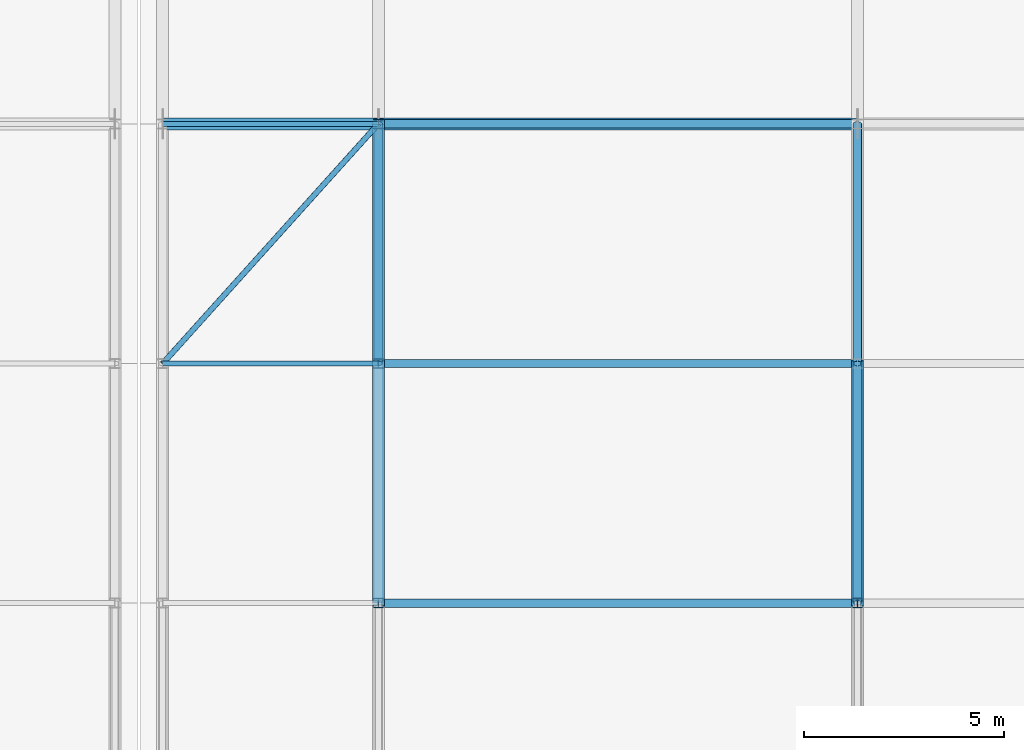
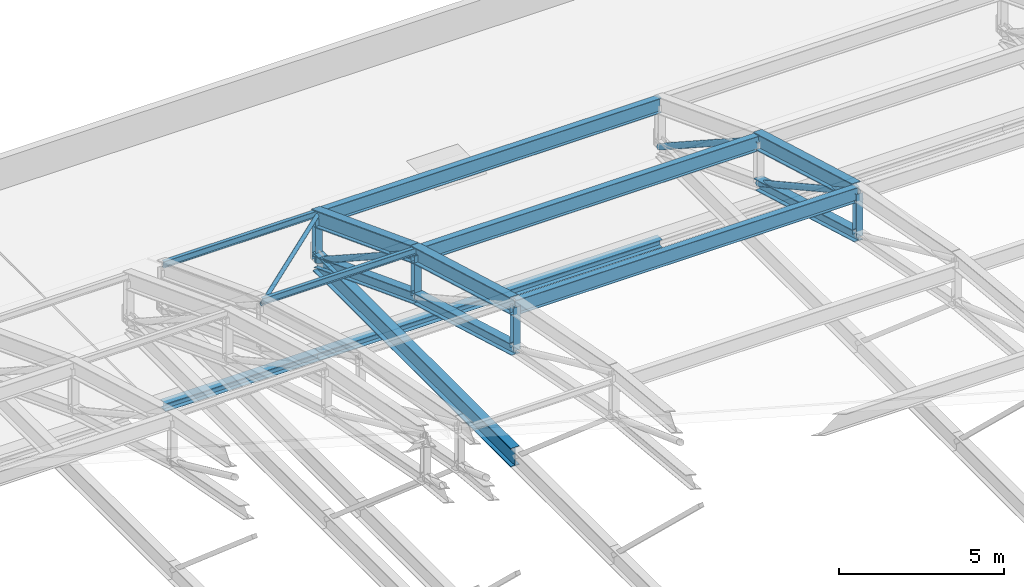
# One storey, part 149 of 204: 20 members, 2 beams.
"""IFC4 building model written with IfcOpenShell, lengths in metres."""

from ifc_helpers import new_model, si_unit, direction, frame, origin, origin_2d, place, context, subcontext, project, spatial, hollow_circle, i_section, extrude, material, material_profile, profile_set, type_object, element, save


model = new_model("IFC4")

# Units and contexts
model_context = context("Model", 3, precision=1e-05, world=origin(), true_north=direction((0.0, 1.0)))
body_context = subcontext(model_context, "Body", "Model", "MODEL_VIEW")
ifc_project = project(units=[si_unit("LENGTHUNIT", "METRE"), si_unit("AREAUNIT", "SQUARE_METRE"), si_unit("VOLUMEUNIT", "CUBIC_METRE"), si_unit("PLANEANGLEUNIT", "RADIAN"), si_unit("MASSUNIT", "GRAM", prefix="KILO")], contexts=[model_context])

# Site, building, storey
site_placement = place(None, origin())
site = spatial("IfcSite", under=ifc_project, at=site_placement, CompositionType="ELEMENT")
building_placement = place(site_placement, origin())
building = spatial("IfcBuilding", under=site, at=building_placement, Name="Zilviju Railside Exhibition Hall", CompositionType="ELEMENT")
storey_placement = place(building_placement, frame((0.0, 0.0, 21.0)))
storey = spatial("IfcBuildingStorey", under=building, at=storey_placement, Name="RF", CompositionType="ELEMENT", Elevation=21.0)

# Beams
ifc_material = material(Name="Steel S355J2", Category="steel")
ifc_material_profile_1 = material_profile(ifc_material, i_section(OverallWidth=0.300048828125, OverallDepth=0.2900390625, WebThickness=0.008544921875, FlangeThickness=0.013916015625, at=origin_2d()), Name="HEA 300")
ifc_profile_set_1 = profile_set([ifc_material_profile_1], Name="Steel S355J2")
beam_type = type_object("IfcBeamType", Name="BM-HEA300", PredefinedType="SPANDREL", material=ifc_profile_set_1)
beam_1_placement = place(storey_placement, frame((126.60009765625, 138.0, -7.094970703125), z_axis=(1.0, 0.0, 0.0), x_axis=(0.0, 1.0, 0.0)))
element("IfcBeam", 1, at=beam_1_placement, inside=storey, type_object=beam_type, Name="Logistics Roof Beam Y=138.0 (126.6..132.0)", PredefinedType="SPANDREL", context=body_context, shape_type="SweptSolid", body=[
    extrude(i_section(OverallWidth=0.300048828125, OverallDepth=0.2900390625, WebThickness=0.008544921875, FlangeThickness=0.013916015625, at=origin_2d()), origin(), (0.0, 0.0, 1.0), 5.39990234375),
])
beam_2_placement = place(storey_placement, frame((132.0, 138.0, -7.094970703125), z_axis=(1.0, 0.0, 0.0), x_axis=(0.0, 1.0, 0.0)))
element("IfcBeam", 2, at=beam_2_placement, inside=storey, type_object=beam_type, Name="Logistics Roof Beam Y=138.0 (132.0..144.0)", PredefinedType="SPANDREL", context=body_context, shape_type="SweptSolid", body=[
    extrude(i_section(OverallWidth=0.300048828125, OverallDepth=0.2900390625, WebThickness=0.008544921875, FlangeThickness=0.013916015625, at=origin_2d()), origin(), (0.0, 0.0, 1.0), 12.0),
])

# Members
ifc_material_profile_2 = material_profile(ifc_material, hollow_circle(Radius=0.06982421875, WallThickness=0.00634765625, at=origin_2d()), Name="CHS 139.7x6.3")
ifc_profile_set_2 = profile_set([ifc_material_profile_2], Name="Steel S355J2")
member_type_1 = type_object("IfcMemberType", Name="TR-BR-CHS139", PredefinedType="BRACE", material=ifc_profile_set_2)
member_1_placement = place(storey_placement, frame((126.60009765625, 132.0, 0.311279296875), z_axis=(0.64432774386, 0.715932662677, -0.268853456374), x_axis=(-0.743300161789, 0.668958047626, 0.0)))
element("IfcMember", 3, at=member_1_placement, inside=storey, type_object=member_type_1, Name="V2 Roof Wind Brace (126.6..132.0)", PredefinedType="BRACE", context=body_context, shape_type="SweptSolid", body=[
    extrude(hollow_circle(Radius=0.06982421875, WallThickness=0.00634765625, at=origin_2d()), origin(), (0.0, 0.0, 1.0), 8.380615234375),
])
ifc_material_profile_3 = material_profile(ifc_material, hollow_circle(Radius=0.109619140625, WallThickness=0.010009765625, at=origin_2d()), Name="CHS 219.1x10.0")
ifc_profile_set_3 = profile_set([ifc_material_profile_3], Name="Steel S355J2")
member_type_2 = type_object("IfcMemberType", Name="TR-BR-CHS219", PredefinedType="BRACE", material=ifc_profile_set_3)
member_2_placement = place(storey_placement, frame((132.0, 132.0, 0.291259765625), z_axis=(0.0, 0.838995406637, -0.544138500423), x_axis=(-1.0, 0.0, 0.0)))
element("IfcMember", 4, at=member_2_placement, inside=storey, type_object=member_type_2, Name="V2 Parabolic Arch Web Diagonal X=132.0 P9", PredefinedType="BRACE", context=body_context, shape_type="SweptSolid", body=[
    extrude(hollow_circle(Radius=0.109619140625, WallThickness=0.010009765625, at=origin_2d()), origin(), (0.0, 0.0, 1.0), 7.1513671875),
])
member_3_placement = place(storey_placement, frame((144.0, 126.0, 2.009765625), z_axis=(0.0, 0.8750828143, -0.483973210122), x_axis=(-1.0, 0.0, 0.0)))
element("IfcMember", 5, at=member_3_placement, inside=storey, type_object=member_type_2, Name="V2 Parabolic Arch Web Diagonal X=144.0 P8", PredefinedType="BRACE", context=body_context, shape_type="SweptSolid", body=[
    extrude(hollow_circle(Radius=0.109619140625, WallThickness=0.010009765625, at=origin_2d()), origin(), (0.0, 0.0, 1.0), 6.8564453125),
])
member_4_placement = place(storey_placement, frame((144.0, 132.0, 0.291259765625), z_axis=(0.0, 0.838995406637, -0.544138500423), x_axis=(-1.0, 0.0, 0.0)))
element("IfcMember", 6, at=member_4_placement, inside=storey, type_object=member_type_2, Name="V2 Parabolic Arch Web Diagonal X=144.0 P9", PredefinedType="BRACE", context=body_context, shape_type="SweptSolid", body=[
    extrude(hollow_circle(Radius=0.109619140625, WallThickness=0.010009765625, at=origin_2d()), origin(), (0.0, 0.0, 1.0), 7.1513671875),
])
ifc_material_profile_4 = material_profile(ifc_material, i_section(OverallWidth=0.300048828125, OverallDepth=0.39990234375, WebThickness=0.013427734375, FlangeThickness=0.02392578125, at=origin_2d()), Name="HEB 400")
ifc_profile_set_4 = profile_set([ifc_material_profile_4], Name="Steel S355J2")
member_type_3 = type_object("IfcMemberType", Name="TR-CH-HEB400", PredefinedType="CHORD", material=ifc_profile_set_4)
member_5_placement = place(storey_placement, frame((132.0, 126.0, 0.409912109375), z_axis=(0.0, 0.961345133658, -0.275346207512), x_axis=(-1.0, 0.0, 0.0)))
element("IfcMember", 7, at=member_5_placement, inside=storey, type_object=member_type_3, Name="V2 Parabolic Arch Bottom Chord X=132.0 P8", PredefinedType="CHORD", context=body_context, shape_type="SweptSolid", body=[
    extrude(i_section(OverallWidth=0.300048828125, OverallDepth=0.39990234375, WebThickness=0.013427734375, FlangeThickness=0.02392578125, at=origin_2d()), origin(), (0.0, 0.0, 1.0), 6.2412109375),
])
member_6_placement = place(storey_placement, frame((132.0, 132.0, -1.30859375), z_axis=(0.0, 0.934187521086, -0.35678239229), x_axis=(-1.0, 0.0, 0.0)))
element("IfcMember", 8, at=member_6_placement, inside=storey, type_object=member_type_3, Name="V2 Parabolic Arch Bottom Chord X=132.0 P9", PredefinedType="CHORD", context=body_context, shape_type="SweptSolid", body=[
    extrude(i_section(OverallWidth=0.300048828125, OverallDepth=0.39990234375, WebThickness=0.013427734375, FlangeThickness=0.02392578125, at=origin_2d()), origin(), (0.0, 0.0, 1.0), 6.422607421875),
])
member_7_placement = place(storey_placement, frame((144.0, 126.0, 0.409912109375), z_axis=(0.0, 0.961345133658, -0.275346207512), x_axis=(-1.0, 0.0, 0.0)))
element("IfcMember", 9, at=member_7_placement, inside=storey, type_object=member_type_3, Name="V2 Parabolic Arch Bottom Chord X=144.0 P8", PredefinedType="CHORD", context=body_context, shape_type="SweptSolid", body=[
    extrude(i_section(OverallWidth=0.300048828125, OverallDepth=0.39990234375, WebThickness=0.013427734375, FlangeThickness=0.02392578125, at=origin_2d()), origin(), (0.0, 0.0, 1.0), 6.2412109375),
])
ifc_material_profile_5 = material_profile(ifc_material, i_section(OverallWidth=0.300048828125, OverallDepth=0.60009765625, WebThickness=0.015380859375, FlangeThickness=0.030029296875, at=origin_2d()), Name="HEB 600")
ifc_profile_set_5 = profile_set([ifc_material_profile_5], Name="Steel S355J2")
member_type_4 = type_object("IfcMemberType", Name="TR-CH-HEB600", PredefinedType="CHORD", material=ifc_profile_set_5)
member_8_placement = place(storey_placement, frame((132.0, 126.0, 2.009765625), z_axis=(0.0, 0.961345133658, -0.275346207512), x_axis=(-1.0, 0.0, 0.0)))
element("IfcMember", 10, at=member_8_placement, inside=storey, type_object=member_type_4, Name="V2 Parabolic Arch Top Chord X=132.0 P8", PredefinedType="CHORD", context=body_context, shape_type="SweptSolid", body=[
    extrude(i_section(OverallWidth=0.300048828125, OverallDepth=0.60009765625, WebThickness=0.015380859375, FlangeThickness=0.030029296875, at=origin_2d()), origin(), (0.0, 0.0, 1.0), 6.2412109375),
])
member_9_placement = place(storey_placement, frame((132.0, 132.0, 0.291259765625), z_axis=(0.0, 0.934200190194, -0.356749218138), x_axis=(-1.0, 0.0, 0.0)))
element("IfcMember", 11, at=member_9_placement, inside=storey, type_object=member_type_4, Name="V2 Parabolic Arch Top Chord X=132.0 P9", PredefinedType="CHORD", context=body_context, shape_type="SweptSolid", body=[
    extrude(i_section(OverallWidth=0.300048828125, OverallDepth=0.60009765625, WebThickness=0.015380859375, FlangeThickness=0.030029296875, at=origin_2d()), origin(), (0.0, 0.0, 1.0), 6.422607421875),
])
member_10_placement = place(storey_placement, frame((144.0, 126.0, 2.009765625), z_axis=(0.0, 0.961345133658, -0.275346207512), x_axis=(-1.0, 0.0, 0.0)))
element("IfcMember", 12, at=member_10_placement, inside=storey, type_object=member_type_4, Name="V2 Parabolic Arch Top Chord X=144.0 P8", PredefinedType="CHORD", context=body_context, shape_type="SweptSolid", body=[
    extrude(i_section(OverallWidth=0.300048828125, OverallDepth=0.60009765625, WebThickness=0.015380859375, FlangeThickness=0.030029296875, at=origin_2d()), origin(), (0.0, 0.0, 1.0), 6.2412109375),
])
ifc_material_profile_6 = material_profile(ifc_material, i_section(OverallWidth=0.239990234375, OverallDepth=0.22998046875, WebThickness=0.007568359375, FlangeThickness=0.011962890625, at=origin_2d()), Name="HEA 240")
ifc_profile_set_6 = profile_set([ifc_material_profile_6], Name="Steel S355J2")
member_type_5 = type_object("IfcMemberType", Name="TR-POST-HEA240", PredefinedType="POST", material=ifc_profile_set_6)
for number, where, z_axis, x_axis, name in (
    (13, (132.0, 126.0, 0.409912109375), (0.0, 0.0, 1.0), (1.0, 0.0, 0.0), "V2 Parabolic Arch Web Post X=132.0 N7"),
    (14, (132.0, 132.0, -1.30859375), (0.0, 0.0, 1.0), (1.0, 0.0, 0.0), "V2 Parabolic Arch Web Post X=132.0 N8"),
):
    element("IfcMember", number, at=place(storey_placement, frame(where, z_axis=z_axis, x_axis=x_axis)), inside=storey, type_object=member_type_5, Name=name, PredefinedType="POST", context=body_context, shape_type="SweptSolid", body=[
        extrude(i_section(OverallWidth=0.239990234375, OverallDepth=0.22998046875, WebThickness=0.007568359375, FlangeThickness=0.011962890625, at=origin_2d()), origin(), (0.0, 0.0, 1.0), 1.599853515625),
    ])
member_11_placement = place(storey_placement, frame((132.0, 138.0, -3.60009765625), z_axis=(0.0, 0.0, 1.0), x_axis=(1.0, 0.0, 0.0)))
element("IfcMember", 15, at=member_11_placement, inside=storey, type_object=member_type_5, Name="V2 Parabolic Arch Web Post X=132.0 N9", PredefinedType="POST", context=body_context, shape_type="SweptSolid", body=[
    extrude(i_section(OverallWidth=0.239990234375, OverallDepth=0.22998046875, WebThickness=0.007568359375, FlangeThickness=0.011962890625, at=origin_2d()), origin(), (0.0, 0.0, 1.0), 1.60009765625),
])
member_12_placement = place(storey_placement, frame((144.0, 126.0, 0.409912109375), z_axis=(0.0, 0.0, 1.0), x_axis=(1.0, 0.0, 0.0)))
element("IfcMember", 16, at=member_12_placement, inside=storey, type_object=member_type_5, Name="V2 Parabolic Arch Web Post X=144.0 N7", PredefinedType="POST", context=body_context, shape_type="SweptSolid", body=[
    extrude(i_section(OverallWidth=0.239990234375, OverallDepth=0.22998046875, WebThickness=0.007568359375, FlangeThickness=0.011962890625, at=origin_2d()), origin(), (0.0, 0.0, 1.0), 1.599853515625),
])
ifc_material_profile_7 = material_profile(ifc_material, i_section(OverallWidth=0.1201171875, OverallDepth=0.239990234375, WebThickness=0.006103515625, FlangeThickness=0.009765625, at=origin_2d()), Name="IPE 240")
ifc_profile_set_7 = profile_set([ifc_material_profile_7], Name="Steel S355J2")
member_type_6 = type_object("IfcMemberType", Name="TR-PUR-IPE240", PredefinedType="PURLIN", material=ifc_profile_set_7)
for number, where, z_axis, x_axis, name in (
    (17, (126.60009765625, 132.0, 0.41162109375), (1.0, 0.0, 0.0), (0.0, 1.0, 0.0), "V2 Barrel Vault Roof Purlin Y=132.0 (126.6..132.0)"),
    (18, (126.60009765625, 138.0, -1.85693359375), (1.0, 0.0, 0.0), (0.0, 1.0, 0.0), "V2 Barrel Vault Roof Purlin Y=138.0 (126.6..132.0)"),
):
    element("IfcMember", number, at=place(storey_placement, frame(where, z_axis=z_axis, x_axis=x_axis)), inside=storey, type_object=member_type_6, Name=name, PredefinedType="PURLIN", context=body_context, shape_type="SweptSolid", body=[
        extrude(i_section(OverallWidth=0.1201171875, OverallDepth=0.239990234375, WebThickness=0.006103515625, FlangeThickness=0.009765625, at=origin_2d()), origin(), (0.0, 0.0, 1.0), 5.39990234375),
    ])
ifc_material_profile_8 = material_profile(ifc_material, i_section(OverallWidth=0.2099609375, OverallDepth=0.550048828125, WebThickness=0.010986328125, FlangeThickness=0.01708984375, at=origin_2d()), Name="IPE 550")
ifc_profile_set_8 = profile_set([ifc_material_profile_8], Name="Steel S355J2")
member_type_7 = type_object("IfcMemberType", Name="TR-PUR-IPE550", PredefinedType="PURLIN", material=ifc_profile_set_8)
for number, where, z_axis, x_axis, name in (
    (19, (132.0, 126.0, 1.97509765625), (1.0, 0.0, 0.0), (0.0, 1.0, 0.0), "V2 Barrel Vault Roof Purlin Y=126.0 (132.0..144.0)"),
    (20, (132.0, 132.0, 0.239501953125), (1.0, 0.0, 0.0), (0.0, 1.0, 0.0), "V2 Barrel Vault Roof Purlin Y=132.0 (132.0..144.0)"),
    (21, (132.0, 138.0, -2.011962890625), (1.0, 0.0, 0.0), (0.0, 1.0, 0.0), "V2 Barrel Vault Roof Purlin Y=138.0 (132.0..144.0)"),
):
    element("IfcMember", number, at=place(storey_placement, frame(where, z_axis=z_axis, x_axis=x_axis)), inside=storey, type_object=member_type_7, Name=name, PredefinedType="PURLIN", context=body_context, shape_type="SweptSolid", body=[
        extrude(i_section(OverallWidth=0.2099609375, OverallDepth=0.550048828125, WebThickness=0.010986328125, FlangeThickness=0.01708984375, at=origin_2d()), origin(), (0.0, 0.0, 1.0), 12.0),
    ])
ifc_material_profile_9 = material_profile(ifc_material, i_section(OverallWidth=0.300048828125, OverallDepth=0.699951171875, WebThickness=0.01708984375, FlangeThickness=0.031982421875, at=origin_2d()), Name="HEB 700")
ifc_profile_set_9 = profile_set([ifc_material_profile_9], Name="Steel S355J2")
member_type_8 = type_object("IfcMemberType", Name="TR-TIE-HEB700", PredefinedType="CHORD", material=ifc_profile_set_9)
member_13_placement = place(storey_placement, frame((132.0, 126.0, -3.60009765625), z_axis=(0.0, 1.0, 0.0), x_axis=(-1.0, 0.0, 0.0)))
element("IfcMember", 22, at=member_13_placement, inside=storey, type_object=member_type_8, Name="V2 Arch Tie Member X=132.0", PredefinedType="CHORD", context=body_context, shape_type="SweptSolid", body=[
    extrude(i_section(OverallWidth=0.300048828125, OverallDepth=0.699951171875, WebThickness=0.01708984375, FlangeThickness=0.031982421875, at=origin_2d()), origin(), (0.0, 0.0, 1.0), 12.0),
])

save(model, "model.ifc")
